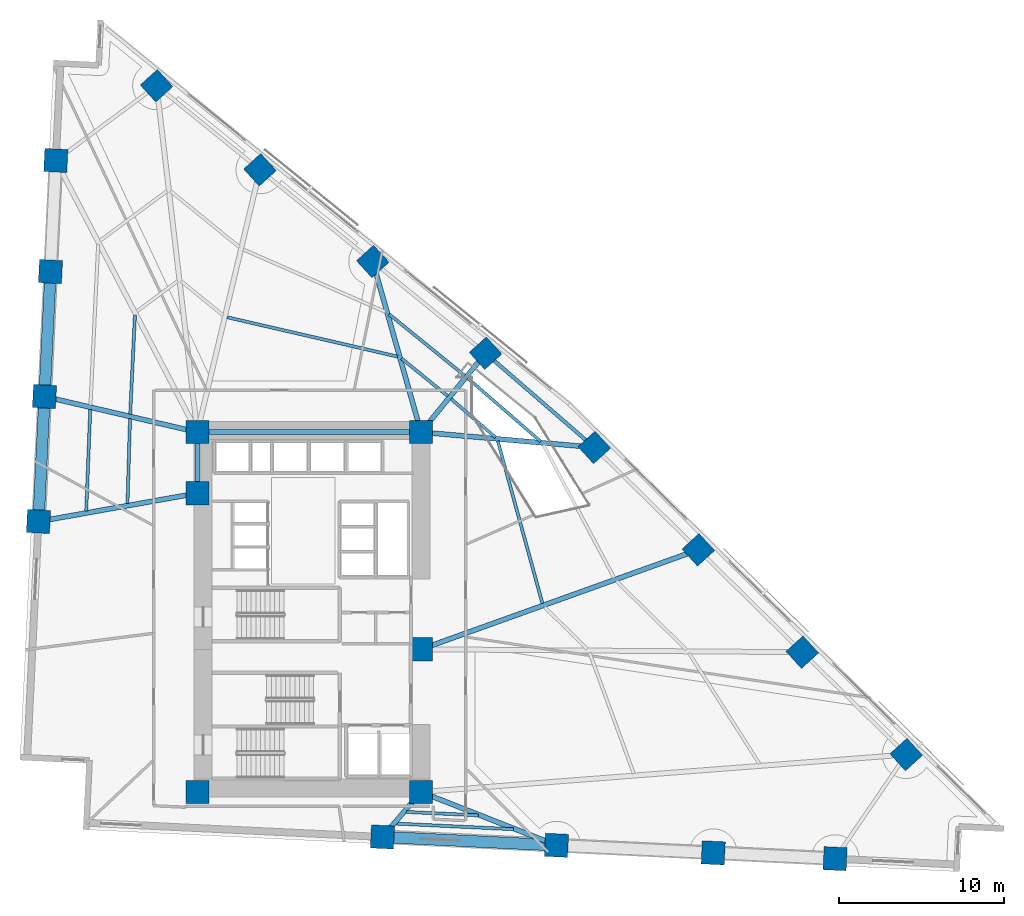
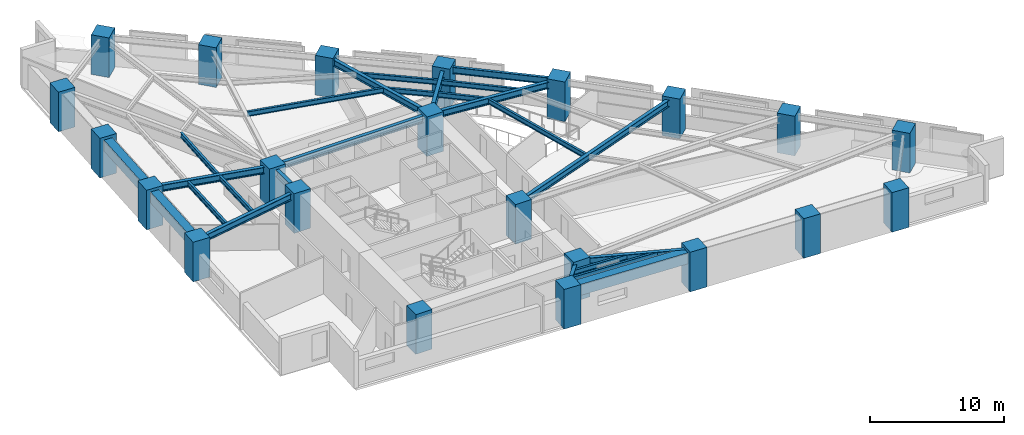
# One storey, part 1 of 17: 25 beams, 22 columns.
"""IFC4 building model written with IfcOpenShell, lengths in metres."""

from ifc_helpers import new_model, si_unit, direction, frame, origin, origin_2d, place, context, subcontext, project, spatial, rectangle, i_section, extrude, material, material_profile, profile_set, type_object, element, save


model = new_model("IFC4")

# Units and contexts
model_context = context("Model", 3, precision=1e-05, world=origin(), true_north=direction((0.0, 1.0)))
body_context = subcontext(model_context, "Body", "Model", "MODEL_VIEW")
ifc_project = project(units=[si_unit("LENGTHUNIT", "METRE"), si_unit("AREAUNIT", "SQUARE_METRE"), si_unit("VOLUMEUNIT", "CUBIC_METRE"), si_unit("PLANEANGLEUNIT", "RADIAN"), si_unit("MASSUNIT", "GRAM", prefix="KILO")], contexts=[model_context])

# Site, building, storey
site_placement = place(None, origin())
site = spatial("IfcSite", under=ifc_project, at=site_placement, CompositionType="ELEMENT")
building_placement = place(site_placement, origin())
building = spatial("IfcBuilding", under=site, at=building_placement, Name="Narakoshi Arena Tower", CompositionType="ELEMENT")
storey_placement = place(building_placement, frame((0.0, 0.0, 33.89990234375)))
storey = spatial("IfcBuildingStorey", under=building, at=storey_placement, Name="L08", CompositionType="ELEMENT", Elevation=33.89990234375)

# Columns
ifc_material_1 = material(Name="Concrete C60/75", Category="concrete")
ifc_material_profile_1 = material_profile(ifc_material_1, rectangle(XDim=1.39990234375, YDim=1.39990234375, at=origin_2d()), Name="RC1400x1400")
ifc_profile_set_1 = profile_set([ifc_material_profile_1], Name="Concrete C60/75")
column_type = type_object("IfcColumnType", Name="COL-RC1400", PredefinedType="COLUMN", material=ifc_profile_set_1)
for number, where, z_axis, x_axis, name in (
    (1, (72.0, 34.699951171875, 0.0), (0.0, 0.0, 1.0), (1.0, 0.0, 0.0), "L08 Core Structural Column CC1"),
    (2, (85.550048828125, 34.699951171875, 0.0), (0.0, 0.0, 1.0), (1.0, 0.0, 0.0), "L08 Core Structural Column CC2"),
    (3, (85.550048828125, 43.35009765625, 0.0), (0.0, 0.0, 1.0), (1.0, 0.0, 0.0), "L08 Core Structural Column CC3"),
    (4, (72.0, 52.800048828125, 0.0), (0.0, 0.0, 1.0), (1.0, 0.0, 0.0), "L08 Core Structural Column CC4"),
    (5, (72.0, 56.5, 0.0), (0.0, 0.0, 1.0), (1.0, 0.0, 0.0), "L08 Core Structural Column CC5"),
    (6, (85.550048828125, 56.5, 0.0), (0.0, 0.0, 1.0), (1.0, 0.0, 0.0), "L08 Core Structural Column CC6"),
    (7, (83.2119140625, 31.979248046875, 0.0), (0.0, 0.0, 1.0), (-0.998848386485, 0.047978128521, 0.0), "L08 Tower Perimeter Column TC01"),
    (8, (93.760009765625, 31.472412109375, 0.0), (0.0, 0.0, 1.0), (-0.998848386485, 0.047978128521, 0.0), "L08 Tower Perimeter Column TC02"),
    (9, (103.2529296875, 31.0166015625, 0.0), (0.0, 0.0, 1.0), (-0.998848386485, 0.047978128521, 0.0), "L08 Tower Perimeter Column TC03"),
    (10, (110.636474609375, 30.661865234375, 0.0), (0.0, 0.0, 1.0), (-0.998848386485, 0.047978128521, 0.0), "L08 Tower Perimeter Column TC04"),
    (11, (114.942138671875, 36.969970703125, 0.0), (0.0, 0.0, 1.0), (0.740218127487, 0.672366807435, 0.0), "L08 Tower Perimeter Column TC05"),
    (12, (108.643798828125, 43.171875, 0.0), (0.0, 0.0, 1.0), (0.740218127487, 0.672366807435, 0.0), "L08 Tower Perimeter Column TC06"),
    (13, (102.345458984375, 49.373779296875, 0.0), (0.0, 0.0, 1.0), (0.740218127487, 0.672366807435, 0.0), "L08 Tower Perimeter Column TC07"),
    (14, (96.047119140625, 55.57568359375, 0.0), (0.0, 0.0, 1.0), (0.740218127487, 0.672366807435, 0.0), "L08 Tower Perimeter Column TC08"),
    (15, (89.459716796875, 61.28515625, 0.0), (0.0, 0.0, 1.0), (0.740218127487, 0.672366807435, 0.0), "L08 Tower Perimeter Column TC09"),
    (16, (82.626953125, 66.838623046875, 0.0), (0.0, 0.0, 1.0), (0.740218127487, 0.672366807435, 0.0), "L08 Tower Perimeter Column TC10"),
    (17, (75.794189453125, 72.392333984375, 0.0), (0.0, 0.0, 1.0), (0.740218127487, 0.672366807435, 0.0), "L08 Tower Perimeter Column TC11"),
    (18, (69.531005859375, 77.483154296875, 0.0), (0.0, 0.0, 1.0), (0.740218127487, 0.672366807435, 0.0), "L08 Tower Perimeter Column TC12"),
    (19, (63.42822265625, 72.95654296875, 0.0), (0.0, 0.0, 1.0), (0.047978128521, 0.998848386485, 0.0), "L08 Tower Perimeter Column TC13"),
    (20, (63.10498046875, 66.228271484375, 0.0), (0.0, 0.0, 1.0), (0.047978128521, 0.998848386485, 0.0), "L08 Tower Perimeter Column TC14"),
    (21, (62.74169921875, 58.658935546875, 0.0), (0.0, 0.0, 1.0), (0.047978128521, 0.998848386485, 0.0), "L08 Tower Perimeter Column TC15"),
    (22, (62.3779296875, 51.08984375, 0.0), (0.0, 0.0, 1.0), (0.047978128521, 0.998848386485, 0.0), "L08 Tower Perimeter Column TC16"),
):
    element("IfcColumn", number, at=place(storey_placement, frame(where, z_axis=z_axis, x_axis=x_axis)), inside=storey, type_object=column_type, Name=name, PredefinedType="COLUMN", context=body_context, shape_type="SweptSolid", body=[
        extrude(rectangle(XDim=1.39990234375, YDim=1.39990234375, at=origin_2d()), origin(), (0.0, 0.0, 1.0), 3.60009765625),
    ])

# Beams
ifc_material_profile_2 = material_profile(ifc_material_1, rectangle(XDim=0.699951171875, YDim=1.0, at=origin_2d()), Name="RCB700x1000")
ifc_profile_set_2 = profile_set([ifc_material_profile_2], Name="Concrete C60/75")
beam_type_1 = type_object("IfcBeamType", Name="BM-CPL-1000", PredefinedType="BEAM", material=ifc_profile_set_2)
beam_1_placement = place(storey_placement, frame((83.2119140625, 31.979248046875, 2.840087890625), z_axis=(0.998847594152, -0.047994621119, 0.0), x_axis=(0.047994621119, 0.998847594152, 0.0)))
element("IfcBeam", 23, at=beam_1_placement, inside=storey, type_object=beam_type_1, Name="L08 Perimeter Edge Girder 01", PredefinedType="BEAM", context=body_context, shape_type="SweptSolid", body=[
    extrude(rectangle(XDim=0.699951171875, YDim=1.0, at=origin_2d()), origin(), (0.0, 0.0, 1.0), 10.560302734375),
])
beam_2_placement = place(storey_placement, frame((63.10498046875, 66.228271484375, 2.840087890625), z_axis=(-0.047938627957, -0.99885028305, 0.0), x_axis=(0.99885028305, -0.047938627957, 0.0)))
element("IfcBeam", 24, at=beam_2_placement, inside=storey, type_object=beam_type_1, Name="L08 Perimeter Edge Girder 14", PredefinedType="BEAM", context=body_context, shape_type="SweptSolid", body=[
    extrude(rectangle(XDim=0.699951171875, YDim=1.0, at=origin_2d()), origin(), (0.0, 0.0, 1.0), 7.578125),
])
beam_3_placement = place(storey_placement, frame((62.74169921875, 58.658935546875, 2.840087890625), z_axis=(-0.048004457986, -0.998847121442, 0.0), x_axis=(0.998847121442, -0.048004457986, 0.0)))
element("IfcBeam", 25, at=beam_3_placement, inside=storey, type_object=beam_type_1, Name="L08 Perimeter Edge Girder 15", PredefinedType="BEAM", context=body_context, shape_type="SweptSolid", body=[
    extrude(rectangle(XDim=0.699951171875, YDim=1.0, at=origin_2d()), origin(), (0.0, 0.0, 1.0), 7.577880859375),
])
ifc_material_2 = material(Name="Structural steel S355J2", Category="steel")
ifc_material_profile_3 = material_profile(ifc_material_2, i_section(OverallWidth=0.219970703125, OverallDepth=0.60009765625, WebThickness=0.011962890625, FlangeThickness=0.01904296875, FilletRadius=0.02392578125, at=origin_2d()), Name="IPE600")
ifc_profile_set_3 = profile_set([ifc_material_profile_3], Name="Structural steel S355J2")
beam_type_2 = type_object("IfcBeamType", Name="BM-EDGE-600", PredefinedType="BEAM", material=ifc_profile_set_3)
beam_4_placement = place(storey_placement, frame((96.047119140625, 55.57568359375, 3.0400390625), z_axis=(-0.755666904752, 0.654956127586, 0.0), x_axis=(-0.654956127586, -0.755666904752, 0.0)))
element("IfcBeam", 26, at=beam_4_placement, inside=storey, type_object=beam_type_2, Name="L08 Perimeter Edge Girder 08", PredefinedType="BEAM", context=body_context, shape_type="SweptSolid", body=[
    extrude(i_section(OverallWidth=0.219970703125, OverallDepth=0.60009765625, WebThickness=0.011962890625, FlangeThickness=0.01904296875, FilletRadius=0.02392578125, at=origin_2d()), origin(), (0.0, 0.0, 1.0), 8.71728515625),
])
ifc_material_profile_4 = material_profile(ifc_material_2, i_section(OverallWidth=0.300048828125, OverallDepth=0.60009765625, WebThickness=0.015380859375, FlangeThickness=0.030029296875, FilletRadius=0.027099609375, at=origin_2d()), Name="HE600B")
ifc_profile_set_4 = profile_set([ifc_material_profile_4], Name="Structural steel S355J2")
beam_type_3 = type_object("IfcBeamType", Name="BM-PRI-600", PredefinedType="BEAM", material=ifc_profile_set_4)
beam_5_placement = place(storey_placement, frame((85.550048828125, 34.699951171875, 3.0400390625), z_axis=(-0.651771636497, -0.75841527797, 0.0), x_axis=(0.75841527797, -0.651771636497, 0.0)))
element("IfcBeam", 27, at=beam_5_placement, inside=storey, type_object=beam_type_3, Name="L08 Radial Primary Floor Girder 01", PredefinedType="BEAM", context=body_context, shape_type="SweptSolid", body=[
    extrude(i_section(OverallWidth=0.300048828125, OverallDepth=0.60009765625, WebThickness=0.015380859375, FlangeThickness=0.030029296875, FilletRadius=0.027099609375, at=origin_2d()), origin(), (0.0, 0.0, 1.0), 3.58740234375),
])
beam_6_placement = place(storey_placement, frame((85.550048828125, 34.699951171875, 3.0400390625), z_axis=(0.930666699288, -0.365868138592, 0.0), x_axis=(0.365868138592, 0.930666699288, 0.0)))
element("IfcBeam", 28, at=beam_6_placement, inside=storey, type_object=beam_type_3, Name="L08 Radial Primary Floor Girder 02", PredefinedType="BEAM", context=body_context, shape_type="SweptSolid", body=[
    extrude(i_section(OverallWidth=0.300048828125, OverallDepth=0.60009765625, WebThickness=0.015380859375, FlangeThickness=0.030029296875, FilletRadius=0.027099609375, at=origin_2d()), origin(), (0.0, 0.0, 1.0), 8.821533203125),
])
beam_7_placement = place(storey_placement, frame((85.550048828125, 43.35009765625, 3.0400390625), z_axis=(0.941291582753, 0.337594662634, 0.0), x_axis=(-0.337594662634, 0.941291582753, 0.0)))
element("IfcBeam", 29, at=beam_7_placement, inside=storey, type_object=beam_type_3, Name="L08 Radial Primary Floor Girder 07", PredefinedType="BEAM", context=body_context, shape_type="SweptSolid", body=[
    extrude(i_section(OverallWidth=0.300048828125, OverallDepth=0.60009765625, WebThickness=0.015380859375, FlangeThickness=0.030029296875, FilletRadius=0.027099609375, at=origin_2d()), origin(), (0.0, 0.0, 1.0), 17.843017578125),
])
beam_8_placement = place(storey_placement, frame((85.550048828125, 56.5, 3.0400390625), z_axis=(0.996145584519, -0.087715303354, 0.0), x_axis=(0.087715303354, 0.996145584519, 0.0)))
element("IfcBeam", 30, at=beam_8_placement, inside=storey, type_object=beam_type_3, Name="L08 Radial Primary Floor Girder 08", PredefinedType="BEAM", context=body_context, shape_type="SweptSolid", body=[
    extrude(i_section(OverallWidth=0.300048828125, OverallDepth=0.60009765625, WebThickness=0.015380859375, FlangeThickness=0.030029296875, FilletRadius=0.027099609375, at=origin_2d()), origin(), (0.0, 0.0, 1.0), 10.53759765625),
])
beam_9_placement = place(storey_placement, frame((85.550048828125, 56.5, 3.0400390625), z_axis=(0.632708368655, 0.774390160212, 0.0), x_axis=(-0.774390160212, 0.632708368655, 0.0)))
element("IfcBeam", 31, at=beam_9_placement, inside=storey, type_object=beam_type_3, Name="L08 Radial Primary Floor Girder 09", PredefinedType="BEAM", context=body_context, shape_type="SweptSolid", body=[
    extrude(i_section(OverallWidth=0.300048828125, OverallDepth=0.60009765625, WebThickness=0.015380859375, FlangeThickness=0.030029296875, FilletRadius=0.027099609375, at=origin_2d()), origin(), (0.0, 0.0, 1.0), 6.17919921875),
])
beam_10_placement = place(storey_placement, frame((85.550048828125, 56.5, 3.0400390625), z_axis=(-0.272069994974, 0.962277464058, 0.0), x_axis=(-0.962277464058, -0.272069994974, 0.0)))
element("IfcBeam", 32, at=beam_10_placement, inside=storey, type_object=beam_type_3, Name="L08 Radial Primary Floor Girder 10", PredefinedType="BEAM", context=body_context, shape_type="SweptSolid", body=[
    extrude(i_section(OverallWidth=0.300048828125, OverallDepth=0.60009765625, WebThickness=0.015380859375, FlangeThickness=0.030029296875, FilletRadius=0.027099609375, at=origin_2d()), origin(), (0.0, 0.0, 1.0), 10.743896484375),
])
beam_11_placement = place(storey_placement, frame((72.0, 56.5, 3.0400390625), z_axis=(-0.973872266719, 0.227096473145, 0.0), x_axis=(-0.227096473145, -0.973872266719, 0.0)))
element("IfcBeam", 33, at=beam_11_placement, inside=storey, type_object=beam_type_3, Name="L08 Radial Primary Floor Girder 15", PredefinedType="BEAM", context=body_context, shape_type="SweptSolid", body=[
    extrude(i_section(OverallWidth=0.300048828125, OverallDepth=0.60009765625, WebThickness=0.015380859375, FlangeThickness=0.030029296875, FilletRadius=0.027099609375, at=origin_2d()), origin(), (0.0, 0.0, 1.0), 9.506591796875),
])
beam_12_placement = place(storey_placement, frame((72.0, 52.800048828125, 3.0400390625), z_axis=(-0.984569299514, -0.174995126944, 0.0), x_axis=(0.174995126944, -0.984569299514, 0.0)))
element("IfcBeam", 34, at=beam_12_placement, inside=storey, type_object=beam_type_3, Name="L08 Radial Primary Floor Girder 16", PredefinedType="BEAM", context=body_context, shape_type="SweptSolid", body=[
    extrude(i_section(OverallWidth=0.300048828125, OverallDepth=0.60009765625, WebThickness=0.015380859375, FlangeThickness=0.030029296875, FilletRadius=0.027099609375, at=origin_2d()), origin(), (0.0, 0.0, 1.0), 9.77294921875),
])
beam_13_placement = place(storey_placement, frame((72.0, 52.800048828125, 3.0400390625), z_axis=(0.0, 1.0, 0.0), x_axis=(-1.0, 0.0, 0.0)))
element("IfcBeam", 35, at=beam_13_placement, inside=storey, type_object=beam_type_3, Name="L08 Core Perimeter Frame Beam CC4-CC5", PredefinedType="BEAM", context=body_context, shape_type="SweptSolid", body=[
    extrude(i_section(OverallWidth=0.300048828125, OverallDepth=0.60009765625, WebThickness=0.015380859375, FlangeThickness=0.030029296875, FilletRadius=0.027099609375, at=origin_2d()), origin(), (0.0, 0.0, 1.0), 3.699951171875),
])
beam_14_placement = place(storey_placement, frame((72.0, 56.5, 3.0400390625), z_axis=(1.0, 0.0, 0.0), x_axis=(0.0, 1.0, 0.0)))
element("IfcBeam", 36, at=beam_14_placement, inside=storey, type_object=beam_type_3, Name="L08 Core Perimeter Frame Beam CC5-CC6", PredefinedType="BEAM", context=body_context, shape_type="SweptSolid", body=[
    extrude(i_section(OverallWidth=0.300048828125, OverallDepth=0.60009765625, WebThickness=0.015380859375, FlangeThickness=0.030029296875, FilletRadius=0.027099609375, at=origin_2d()), origin(), (0.0, 0.0, 1.0), 13.550048828125),
])
ifc_material_profile_5 = material_profile(ifc_material_2, i_section(OverallWidth=0.18994140625, OverallDepth=0.449951171875, WebThickness=0.009521484375, FlangeThickness=0.0146484375, FilletRadius=0.02099609375, at=origin_2d()), Name="IPE450")
ifc_profile_set_5 = profile_set([ifc_material_profile_5], Name="Structural steel S355J2")
beam_type_4 = type_object("IfcBeamType", Name="BM-SEC-450", PredefinedType="JOIST", material=ifc_profile_set_5)
beam_15_placement = place(storey_placement, frame((84.656005859375, 33.496337890625, 3.114990234375), z_axis=(0.998848618666, -0.047973294541, 0.0), x_axis=(0.047973294541, 0.998848618666, 0.0)))
element("IfcBeam", 37, at=beam_15_placement, inside=storey, type_object=beam_type_4, Name="L08 Composite Secondary Floor Joist 01", PredefinedType="JOIST", context=body_context, shape_type="SweptSolid", body=[
    extrude(i_section(OverallWidth=0.18994140625, OverallDepth=0.449951171875, WebThickness=0.009521484375, FlangeThickness=0.0146484375, FilletRadius=0.02099609375, at=origin_2d()), origin(), (0.0, 0.0, 1.0), 4.376708984375),
])
beam_16_placement = place(storey_placement, frame((84.048095703125, 32.7890625, 3.114990234375), z_axis=(0.998847805769, -0.047990216825, 0.0), x_axis=(0.047990216825, 0.998847805769, 0.0)))
element("IfcBeam", 38, at=beam_16_placement, inside=storey, type_object=beam_type_4, Name="L08 Composite Secondary Floor Joist 02", PredefinedType="JOIST", context=body_context, shape_type="SweptSolid", body=[
    extrude(i_section(OverallWidth=0.18994140625, OverallDepth=0.449951171875, WebThickness=0.009521484375, FlangeThickness=0.0146484375, FilletRadius=0.02099609375, at=origin_2d()), origin(), (0.0, 0.0, 1.0), 7.122314453125),
])
beam_17_placement = place(storey_placement, frame((92.904296875, 46.130615234375, 3.114990234375), z_axis=(-0.264792509955, 0.964305411512, 0.0), x_axis=(-0.964305411512, -0.264792509955, 0.0)))
element("IfcBeam", 39, at=beam_17_placement, inside=storey, type_object=beam_type_4, Name="L08 Composite Secondary Floor Joist 07", PredefinedType="JOIST", context=body_context, shape_type="SweptSolid", body=[
    extrude(i_section(OverallWidth=0.18994140625, OverallDepth=0.449951171875, WebThickness=0.009521484375, FlangeThickness=0.0146484375, FilletRadius=0.02099609375, at=origin_2d()), origin(), (0.0, 0.0, 1.0), 10.196533203125),
])
beam_18_placement = place(storey_placement, frame((90.066650390625, 56.181640625, 3.114990234375), z_axis=(-0.755639378747, 0.65498788484, 0.0), x_axis=(-0.65498788484, -0.755639378747, 0.0)))
element("IfcBeam", 40, at=beam_18_placement, inside=storey, type_object=beam_type_4, Name="L08 Composite Secondary Floor Joist 09", PredefinedType="JOIST", context=body_context, shape_type="SweptSolid", body=[
    extrude(i_section(OverallWidth=0.18994140625, OverallDepth=0.449951171875, WebThickness=0.009521484375, FlangeThickness=0.0146484375, FilletRadius=0.02099609375, at=origin_2d()), origin(), (0.0, 0.0, 1.0), 3.565673828125),
])
beam_19_placement = place(storey_placement, frame((92.7958984375, 55.94140625, 3.114990234375), z_axis=(-0.755651788219, 0.654973568139, 0.0), x_axis=(-0.654973568139, -0.755651788219, 0.0)))
element("IfcBeam", 41, at=beam_19_placement, inside=storey, type_object=beam_type_4, Name="L08 Composite Secondary Floor Joist 10", PredefinedType="JOIST", context=body_context, shape_type="SweptSolid", body=[
    extrude(i_section(OverallWidth=0.18994140625, OverallDepth=0.449951171875, WebThickness=0.009521484375, FlangeThickness=0.0146484375, FilletRadius=0.02099609375, at=origin_2d()), origin(), (0.0, 0.0, 1.0), 5.83203125),
])
beam_20_placement = place(storey_placement, frame((87.16552734375, 58.690673828125, 3.114990234375), z_axis=(-0.776014534115, 0.630715025065, 0.0), x_axis=(-0.630715025065, -0.776014534115, 0.0)))
element("IfcBeam", 42, at=beam_20_placement, inside=storey, type_object=beam_type_4, Name="L08 Composite Secondary Floor Joist 11", PredefinedType="JOIST", context=body_context, shape_type="SweptSolid", body=[
    extrude(i_section(OverallWidth=0.18994140625, OverallDepth=0.449951171875, WebThickness=0.009521484375, FlangeThickness=0.0146484375, FilletRadius=0.02099609375, at=origin_2d()), origin(), (0.0, 0.0, 1.0), 3.604248046875),
])
beam_21_placement = place(storey_placement, frame((88.18212890625, 59.934814453125, 3.114990234375), z_axis=(-0.776024025763, 0.630703346621, 0.0), x_axis=(-0.630703346621, -0.776024025763, 0.0)))
element("IfcBeam", 43, at=beam_21_placement, inside=storey, type_object=beam_type_4, Name="L08 Composite Secondary Floor Joist 12", PredefinedType="JOIST", context=body_context, shape_type="SweptSolid", body=[
    extrude(i_section(OverallWidth=0.18994140625, OverallDepth=0.449951171875, WebThickness=0.009521484375, FlangeThickness=0.0146484375, FilletRadius=0.02099609375, at=origin_2d()), origin(), (0.0, 0.0, 1.0), 5.8935546875),
])
beam_22_placement = place(storey_placement, frame((84.13232421875, 61.079345703125, 3.114990234375), z_axis=(-0.974413699893, 0.224761966223, 0.0), x_axis=(-0.224761966223, -0.974413699893, 0.0)))
element("IfcBeam", 44, at=beam_22_placement, inside=storey, type_object=beam_type_4, Name="L08 Composite Secondary Floor Joist 13", PredefinedType="JOIST", context=body_context, shape_type="SweptSolid", body=[
    extrude(i_section(OverallWidth=0.18994140625, OverallDepth=0.449951171875, WebThickness=0.009521484375, FlangeThickness=0.0146484375, FilletRadius=0.02099609375, at=origin_2d()), origin(), (0.0, 0.0, 1.0), 10.6025390625),
])
beam_23_placement = place(storey_placement, frame((68.221923828125, 63.606201171875, 3.114990234375), z_axis=(-0.047949971232, -0.998849738579, 0.0), x_axis=(0.998849738579, -0.047949971232, 0.0)))
element("IfcBeam", 45, at=beam_23_placement, inside=storey, type_object=beam_type_4, Name="L08 Composite Secondary Floor Joist 19", PredefinedType="JOIST", context=body_context, shape_type="SweptSolid", body=[
    extrude(i_section(OverallWidth=0.18994140625, OverallDepth=0.449951171875, WebThickness=0.009521484375, FlangeThickness=0.0146484375, FilletRadius=0.02099609375, at=origin_2d()), origin(), (0.0, 0.0, 1.0), 6.0283203125),
])
beam_24_placement = place(storey_placement, frame((67.92236328125, 57.31494140625, 3.114990234375), z_axis=(-0.029622614356, -0.999561154066, 0.0), x_axis=(0.999561154066, -0.029622614356, 0.0)))
element("IfcBeam", 46, at=beam_24_placement, inside=storey, type_object=beam_type_4, Name="L08 Composite Secondary Floor Joist 21", PredefinedType="JOIST", context=body_context, shape_type="SweptSolid", body=[
    extrude(i_section(OverallWidth=0.18994140625, OverallDepth=0.449951171875, WebThickness=0.009521484375, FlangeThickness=0.0146484375, FilletRadius=0.02099609375, at=origin_2d()), origin(), (0.0, 0.0, 1.0), 5.134521484375),
])
beam_25_placement = place(storey_placement, frame((65.513916015625, 57.87646484375, 3.114990234375), z_axis=(-0.039699826578, -0.999211651138, 0.0), x_axis=(0.999211651138, -0.039699826578, 0.0)))
element("IfcBeam", 47, at=beam_25_placement, inside=storey, type_object=beam_type_4, Name="L08 Composite Secondary Floor Joist 22", PredefinedType="JOIST", context=body_context, shape_type="SweptSolid", body=[
    extrude(i_section(OverallWidth=0.18994140625, OverallDepth=0.449951171875, WebThickness=0.009521484375, FlangeThickness=0.0146484375, FilletRadius=0.02099609375, at=origin_2d()), origin(), (0.0, 0.0, 1.0), 6.1435546875),
])

save(model, "model.ifc")
